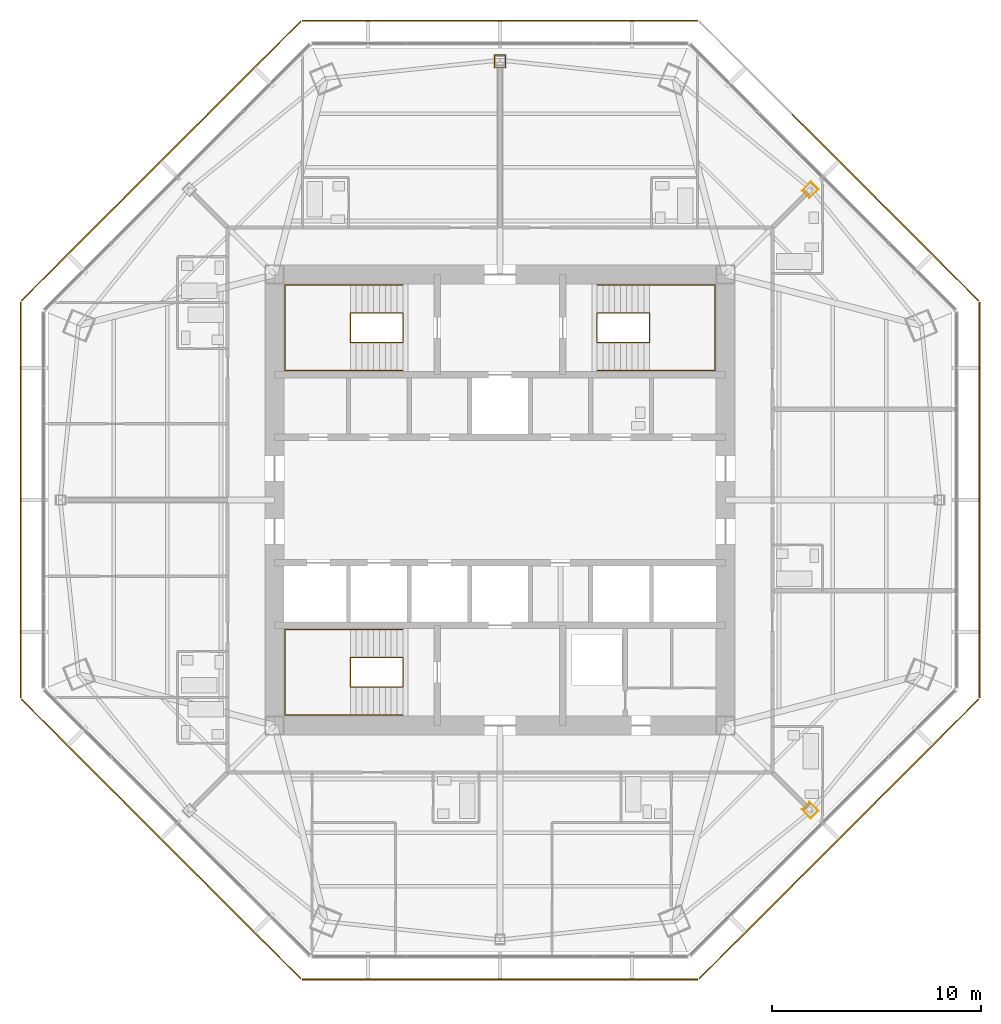
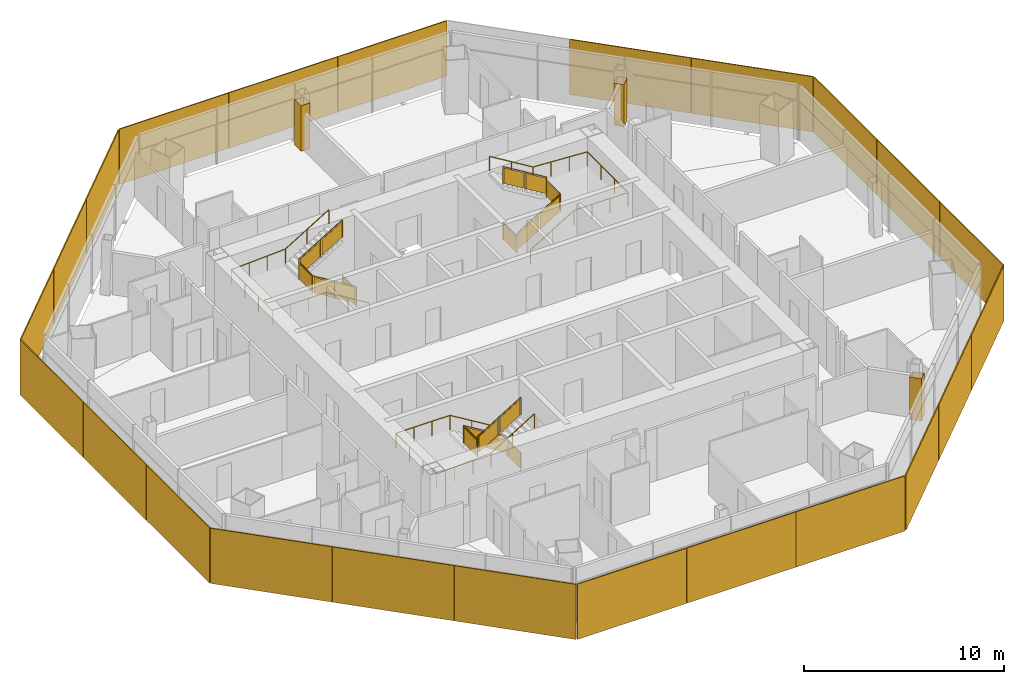
# One storey, part 14 of 16: 23 shading devices, 6 railings, 3 coverings.
"""IFC4 building model written with IfcOpenShell, lengths in metres."""

from ifc_helpers import new_model, si_unit, direction, frame, origin, origin_2d, place, context, subcontext, project, spatial, polyline, rectangle, circle, outline, extrude, source, transform, mapped, material, layer, layer_set, type_object, type_shapes, element, save


model = new_model("IFC4")

# Units and contexts
model_context = context("Model", 3, precision=1e-05, world=origin(), true_north=direction((0.0, 1.0)))
body_context = subcontext(model_context, "Body", "Model", "MODEL_VIEW")
ifc_project = project(units=[si_unit("LENGTHUNIT", "METRE"), si_unit("AREAUNIT", "SQUARE_METRE"), si_unit("VOLUMEUNIT", "CUBIC_METRE"), si_unit("PLANEANGLEUNIT", "RADIAN"), si_unit("MASSUNIT", "GRAM", prefix="KILO")], contexts=[model_context])

# Site, building, storey
site_placement = place(None, origin())
site = spatial("IfcSite", under=ifc_project, at=site_placement, CompositionType="ELEMENT")
building_placement = place(site_placement, origin())
building = spatial("IfcBuilding", under=site, at=building_placement, Name="Mashrafa Tower", CompositionType="ELEMENT")
storey_placement = place(building_placement, frame((0.0, 0.0, 217.60009765625)))
storey = spatial("IfcBuildingStorey", under=building, at=storey_placement, Name="L50", CompositionType="ELEMENT", Elevation=217.60009765625)

# Coverings
ifc_material_1 = material(Name="Gypsum board")
ifc_layer_1 = layer(ifc_material_1, 0.014892578125)
ifc_layer_set_1 = layer_set([ifc_layer_1], Name="Column casing plasterboard 15")
covering_type = type_object("IfcCoveringType", Name="Column casing plasterboard 15", PredefinedType="CLADDING", material=ifc_layer_set_1)
covering_1_placement = place(storey_placement, origin())
element("IfcCovering", 1, at=covering_1_placement, inside=storey, type_object=covering_type, Name="Column casing L50-001", PredefinedType="CLADDING", context=body_context, shape_type="SweptSolid", body=[
    extrude(outline(polyline([(14.4482421875, 14.822998046875), (14.89111328125, 15.265869140625), (15.265869140625, 14.89111328125), (14.822998046875, 14.4482421875), (14.4482421875, 14.822998046875)]), holes=[polyline([(15.24462890625, 14.89111328125), (14.89111328125, 15.24462890625), (14.469482421875, 14.822998046875), (14.822998046875, 14.469482421875), (15.24462890625, 14.89111328125)])]), origin(), (0.0, 0.0, 1.0), 2.577880859375),
])
covering_2_placement = place(storey_placement, origin())
element("IfcCovering", 2, at=covering_2_placement, inside=storey, type_object=covering_type, Name="Column casing L50-002", PredefinedType="CLADDING", context=body_context, shape_type="SweptSolid", body=[
    extrude(outline(polyline([(-0.264892578125, 21.32421875), (0.264892578125, 21.32421875), (0.264892578125, 20.69775390625), (-0.264892578125, 20.69775390625), (-0.264892578125, 21.32421875)]), holes=[polyline([(0.25, 20.712890625), (0.25, 21.30908203125), (-0.25, 21.30908203125), (-0.25, 20.712890625), (0.25, 20.712890625)])]), origin(), (0.0, 0.0, 1.0), 2.783447265625),
])
covering_3_placement = place(storey_placement, origin())
element("IfcCovering", 3, at=covering_3_placement, inside=storey, type_object=covering_type, Name="Column casing L50-003", PredefinedType="CLADDING", context=body_context, shape_type="SweptSolid", body=[
    extrude(outline(polyline([(14.4482421875, -14.822998046875), (14.822998046875, -14.4482421875), (15.265869140625, -14.89111328125), (14.89111328125, -15.265869140625), (14.4482421875, -14.822998046875)]), holes=[polyline([(15.24462890625, -14.89111328125), (14.822998046875, -14.469482421875), (14.469482421875, -14.822998046875), (14.89111328125, -15.24462890625), (15.24462890625, -14.89111328125)])]), origin(), (0.0, 0.0, 1.0), 2.577880859375),
])

# Railings
ifc_material_2 = material(Name="Steel guard with glass infill", Category="steel")
railing_type_1 = type_object("IfcRailingType", Name="Stair guard 1100", PredefinedType="GUARDRAIL", material=ifc_material_2)
railing_1_placement = place(storey_placement, frame((-4.64990234375, 8.949951171875, 0.0)))
element("IfcRailing", 4, at=railing_1_placement, inside=storey, type_object=railing_type_1, Name="Stair S1 guard L50", PredefinedType="GUARDRAIL", context=body_context, shape_type="SweptSolid", body=[
    extrude(circle(Radius=0.02392578125, at=origin_2d()), frame((0.0, 0.0, 1.076171875), z_axis=(0.0, -1.0, 0.0), x_axis=(1.0, 0.0, 0.0)), (0.0, 0.0, 1.0), 1.39990234375),
    extrude(circle(Radius=0.02392578125, at=origin_2d()), frame((0.0, -1.39990234375, 1.076171875), z_axis=(0.0, 0.0, 1.0), x_axis=(1.0, 0.0, 0.0)), (0.0, 0.0, 1.0), 0.169921875),
    extrude(circle(Radius=0.02392578125, at=origin_2d()), frame((0.0, -1.39990234375, 1.24609375), z_axis=(-0.85478489116, 0.0, 0.518982456201), x_axis=(0.0, -1.0, 0.0)), (0.0, 0.0, 1.0), 2.9482421875),
    extrude(circle(Radius=0.02392578125, at=origin_2d()), frame((-2.52001953125, -1.39990234375, 2.77587890625), z_axis=(0.0, 1.0, 0.0), x_axis=(-1.0, 0.0, 0.0)), (0.0, 0.0, 1.0), 1.39990234375),
    extrude(circle(Radius=0.02392578125, at=origin_2d()), frame((-2.52001953125, 0.0, 2.77587890625), z_axis=(0.0, 0.0, 1.0), x_axis=(1.0, 0.0, 0.0)), (0.0, 0.0, 1.0), 0.169921875),
    extrude(circle(Radius=0.02392578125, at=origin_2d()), frame((-2.52001953125, 0.0, 2.94580078125), z_axis=(0.85478489116, 0.0, 0.518982456201), x_axis=(0.0, 1.0, 0.0)), (0.0, 0.0, 1.0), 2.9482421875),
    extrude(circle(Radius=0.02099609375, at=origin_2d()), origin(), (0.0, 0.0, 1.0), 1.052001953125),
    extrude(circle(Radius=0.02099609375, at=origin_2d()), frame((0.0, -1.39990234375, 0.0)), (0.0, 0.0, 1.0), 1.052001953125),
    extrude(circle(Radius=0.02099609375, at=origin_2d()), frame((0.0, -1.39990234375, 0.169921875)), (0.0, 0.0, 1.0), 1.052001953125),
    extrude(circle(Radius=0.02099609375, at=origin_2d()), frame((-1.260009765625, -1.39990234375, 0.93505859375)), (0.0, 0.0, 1.0), 1.052001953125),
    extrude(circle(Radius=0.02099609375, at=origin_2d()), frame((-2.52001953125, -1.39990234375, 1.699951171875)), (0.0, 0.0, 1.0), 1.052001953125),
    extrude(circle(Radius=0.02099609375, at=origin_2d()), frame((-2.52001953125, 0.0, 1.699951171875)), (0.0, 0.0, 1.0), 1.052001953125),
    extrude(circle(Radius=0.02099609375, at=origin_2d()), frame((-2.52001953125, 0.0, 1.869873046875)), (0.0, 0.0, 1.0), 1.052001953125),
    extrude(circle(Radius=0.02099609375, at=origin_2d()), frame((-1.260009765625, 0.0, 2.634765625)), (0.0, 0.0, 1.0), 1.052001953125),
    extrude(circle(Radius=0.02099609375, at=origin_2d()), frame((0.0, 0.0, 3.39990234375)), (0.0, 0.0, 1.0), 1.052001953125),
    extrude(outline(polyline([(0.071044921875, 0.050048828125), (1.328857421875, 0.050048828125), (1.328857421875, 1.001953125), (0.071044921875, 1.001953125), (0.071044921875, 0.050048828125)])), frame((-0.006103515625, 0.0, 0.0), z_axis=(-1.0, 0.0, 0.0), x_axis=(0.0, -1.0, 0.0)), (0.0, 0.0, 1.0), 0.011962890625),
    extrude(outline(polyline([(0.071044921875, 0.093017578125), (1.18896484375, 0.77197265625), (1.18896484375, 1.723876953125), (0.071044921875, 1.045166015625), (0.071044921875, 0.093017578125)])), frame((0.0, -1.393798828125, 0.169921875), z_axis=(0.0, 1.0, 0.0), x_axis=(-1.0, 0.0, 0.0)), (0.0, 0.0, 1.0), 0.011962890625),
    extrude(outline(polyline([(1.3310546875, 0.858154296875), (2.448974609375, 1.536865234375), (2.448974609375, 2.489013671875), (1.3310546875, 1.81005859375), (1.3310546875, 0.858154296875)])), frame((0.0, -1.393798828125, 0.169921875), z_axis=(0.0, 1.0, 0.0), x_axis=(-1.0, 0.0, 0.0)), (0.0, 0.0, 1.0), 0.011962890625),
    extrude(outline(polyline([(0.071044921875, 0.050048828125), (1.328857421875, 0.050048828125), (1.328857421875, 1.001953125), (0.071044921875, 1.001953125), (0.071044921875, 0.050048828125)])), frame((-2.513916015625, -1.39990234375, 1.699951171875), z_axis=(1.0, 0.0, 0.0), x_axis=(0.0, 1.0, 0.0)), (0.0, 0.0, 1.0), 0.011962890625),
    extrude(outline(polyline([(0.071044921875, 0.093017578125), (1.18896484375, 0.77197265625), (1.18896484375, 1.723876953125), (0.071044921875, 1.045166015625), (0.071044921875, 0.093017578125)])), frame((-2.52001953125, -0.006103515625, 1.869873046875), z_axis=(0.0, -1.0, 0.0), x_axis=(1.0, 0.0, 0.0)), (0.0, 0.0, 1.0), 0.011962890625),
    extrude(outline(polyline([(1.3310546875, 0.858154296875), (2.448974609375, 1.536865234375), (2.448974609375, 2.489013671875), (1.3310546875, 1.81005859375), (1.3310546875, 0.858154296875)])), frame((-2.52001953125, -0.006103515625, 1.869873046875), z_axis=(0.0, -1.0, 0.0), x_axis=(1.0, 0.0, 0.0)), (0.0, 0.0, 1.0), 0.011962890625),
])
railing_2_placement = place(storey_placement, frame((4.64990234375, 8.949951171875, 0.0)))
element("IfcRailing", 5, at=railing_2_placement, inside=storey, type_object=railing_type_1, Name="Stair S2 guard L50", PredefinedType="GUARDRAIL", context=body_context, shape_type="SweptSolid", body=[
    extrude(circle(Radius=0.02392578125, at=origin_2d()), frame((0.0, 0.0, 1.076171875), z_axis=(0.0, -1.0, 0.0), x_axis=(1.0, 0.0, 0.0)), (0.0, 0.0, 1.0), 1.39990234375),
    extrude(circle(Radius=0.02392578125, at=origin_2d()), frame((0.0, -1.39990234375, 1.076171875), z_axis=(0.0, 0.0, 1.0), x_axis=(1.0, 0.0, 0.0)), (0.0, 0.0, 1.0), 0.169921875),
    extrude(circle(Radius=0.02392578125, at=origin_2d()), frame((0.0, -1.39990234375, 1.24609375), z_axis=(0.85478489116, 0.0, 0.518982456201), x_axis=(0.0, 1.0, 0.0)), (0.0, 0.0, 1.0), 2.9482421875),
    extrude(circle(Radius=0.02392578125, at=origin_2d()), frame((2.52001953125, -1.39990234375, 2.77587890625), z_axis=(0.0, 1.0, 0.0), x_axis=(-1.0, 0.0, 0.0)), (0.0, 0.0, 1.0), 1.39990234375),
    extrude(circle(Radius=0.02392578125, at=origin_2d()), frame((2.52001953125, 0.0, 2.77587890625), z_axis=(0.0, 0.0, 1.0), x_axis=(1.0, 0.0, 0.0)), (0.0, 0.0, 1.0), 0.169921875),
    extrude(circle(Radius=0.02392578125, at=origin_2d()), frame((2.52001953125, 0.0, 2.94580078125), z_axis=(-0.85478489116, 0.0, 0.518982456201), x_axis=(0.0, -1.0, 0.0)), (0.0, 0.0, 1.0), 2.9482421875),
    extrude(circle(Radius=0.02099609375, at=origin_2d()), origin(), (0.0, 0.0, 1.0), 1.052001953125),
    extrude(circle(Radius=0.02099609375, at=origin_2d()), frame((0.0, -1.39990234375, 0.0)), (0.0, 0.0, 1.0), 1.052001953125),
    extrude(circle(Radius=0.02099609375, at=origin_2d()), frame((0.0, -1.39990234375, 0.169921875)), (0.0, 0.0, 1.0), 1.052001953125),
    extrude(circle(Radius=0.02099609375, at=origin_2d()), frame((1.260009765625, -1.39990234375, 0.93505859375)), (0.0, 0.0, 1.0), 1.052001953125),
    extrude(circle(Radius=0.02099609375, at=origin_2d()), frame((2.52001953125, -1.39990234375, 1.699951171875)), (0.0, 0.0, 1.0), 1.052001953125),
    extrude(circle(Radius=0.02099609375, at=origin_2d()), frame((2.52001953125, 0.0, 1.699951171875)), (0.0, 0.0, 1.0), 1.052001953125),
    extrude(circle(Radius=0.02099609375, at=origin_2d()), frame((2.52001953125, 0.0, 1.869873046875)), (0.0, 0.0, 1.0), 1.052001953125),
    extrude(circle(Radius=0.02099609375, at=origin_2d()), frame((1.260009765625, 0.0, 2.634765625)), (0.0, 0.0, 1.0), 1.052001953125),
    extrude(circle(Radius=0.02099609375, at=origin_2d()), frame((0.0, 0.0, 3.39990234375)), (0.0, 0.0, 1.0), 1.052001953125),
    extrude(outline(polyline([(0.071044921875, 0.050048828125), (1.328857421875, 0.050048828125), (1.328857421875, 1.001953125), (0.071044921875, 1.001953125), (0.071044921875, 0.050048828125)])), frame((-0.006103515625, 0.0, 0.0), z_axis=(-1.0, 0.0, 0.0), x_axis=(0.0, -1.0, 0.0)), (0.0, 0.0, 1.0), 0.011962890625),
    extrude(outline(polyline([(0.071044921875, 0.093017578125), (1.18896484375, 0.77197265625), (1.18896484375, 1.723876953125), (0.071044921875, 1.045166015625), (0.071044921875, 0.093017578125)])), frame((0.0, -1.406005859375, 0.169921875), z_axis=(0.0, -1.0, 0.0), x_axis=(1.0, 0.0, 0.0)), (0.0, 0.0, 1.0), 0.011962890625),
    extrude(outline(polyline([(1.3310546875, 0.858154296875), (2.448974609375, 1.536865234375), (2.448974609375, 2.489013671875), (1.3310546875, 1.81005859375), (1.3310546875, 0.858154296875)])), frame((0.0, -1.406005859375, 0.169921875), z_axis=(0.0, -1.0, 0.0), x_axis=(1.0, 0.0, 0.0)), (0.0, 0.0, 1.0), 0.011962890625),
    extrude(outline(polyline([(0.071044921875, 0.050048828125), (1.328857421875, 0.050048828125), (1.328857421875, 1.001953125), (0.071044921875, 1.001953125), (0.071044921875, 0.050048828125)])), frame((2.526123046875, -1.39990234375, 1.699951171875), z_axis=(1.0, 0.0, 0.0), x_axis=(0.0, 1.0, 0.0)), (0.0, 0.0, 1.0), 0.011962890625),
    extrude(outline(polyline([(0.071044921875, 0.093017578125), (1.18896484375, 0.77197265625), (1.18896484375, 1.723876953125), (0.071044921875, 1.045166015625), (0.071044921875, 0.093017578125)])), frame((2.52001953125, 0.006103515625, 1.869873046875), z_axis=(0.0, 1.0, 0.0), x_axis=(-1.0, 0.0, 0.0)), (0.0, 0.0, 1.0), 0.011962890625),
    extrude(outline(polyline([(1.3310546875, 0.858154296875), (2.448974609375, 1.536865234375), (2.448974609375, 2.489013671875), (1.3310546875, 1.81005859375), (1.3310546875, 0.858154296875)])), frame((2.52001953125, 0.006103515625, 1.869873046875), z_axis=(0.0, 1.0, 0.0), x_axis=(-1.0, 0.0, 0.0)), (0.0, 0.0, 1.0), 0.011962890625),
])
railing_3_placement = place(storey_placement, frame((-4.64990234375, -8.949951171875, 0.0)))
element("IfcRailing", 6, at=railing_3_placement, inside=storey, type_object=railing_type_1, Name="Stair S3 guard L50", PredefinedType="GUARDRAIL", context=body_context, shape_type="SweptSolid", body=[
    extrude(circle(Radius=0.02392578125, at=origin_2d()), frame((0.0, 0.0, 1.076171875), z_axis=(0.0, 1.0, 0.0), x_axis=(-1.0, 0.0, 0.0)), (0.0, 0.0, 1.0), 1.39990234375),
    extrude(circle(Radius=0.02392578125, at=origin_2d()), frame((0.0, 1.39990234375, 1.076171875), z_axis=(0.0, 0.0, 1.0), x_axis=(1.0, 0.0, 0.0)), (0.0, 0.0, 1.0), 0.169921875),
    extrude(circle(Radius=0.02392578125, at=origin_2d()), frame((0.0, 1.39990234375, 1.24609375), z_axis=(-0.85478489116, 0.0, 0.518982456201), x_axis=(0.0, -1.0, 0.0)), (0.0, 0.0, 1.0), 2.9482421875),
    extrude(circle(Radius=0.02392578125, at=origin_2d()), frame((-2.52001953125, 1.39990234375, 2.77587890625), z_axis=(0.0, -1.0, 0.0), x_axis=(1.0, 0.0, 0.0)), (0.0, 0.0, 1.0), 1.39990234375),
    extrude(circle(Radius=0.02392578125, at=origin_2d()), frame((-2.52001953125, 0.0, 2.77587890625), z_axis=(0.0, 0.0, 1.0), x_axis=(1.0, 0.0, 0.0)), (0.0, 0.0, 1.0), 0.169921875),
    extrude(circle(Radius=0.02392578125, at=origin_2d()), frame((-2.52001953125, 0.0, 2.94580078125), z_axis=(0.85478489116, 0.0, 0.518982456201), x_axis=(0.0, 1.0, 0.0)), (0.0, 0.0, 1.0), 2.9482421875),
    extrude(circle(Radius=0.02099609375, at=origin_2d()), origin(), (0.0, 0.0, 1.0), 1.052001953125),
    extrude(circle(Radius=0.02099609375, at=origin_2d()), frame((0.0, 1.39990234375, 0.0)), (0.0, 0.0, 1.0), 1.052001953125),
    extrude(circle(Radius=0.02099609375, at=origin_2d()), frame((0.0, 1.39990234375, 0.169921875)), (0.0, 0.0, 1.0), 1.052001953125),
    extrude(circle(Radius=0.02099609375, at=origin_2d()), frame((-1.260009765625, 1.39990234375, 0.93505859375)), (0.0, 0.0, 1.0), 1.052001953125),
    extrude(circle(Radius=0.02099609375, at=origin_2d()), frame((-2.52001953125, 1.39990234375, 1.699951171875)), (0.0, 0.0, 1.0), 1.052001953125),
    extrude(circle(Radius=0.02099609375, at=origin_2d()), frame((-2.52001953125, 0.0, 1.699951171875)), (0.0, 0.0, 1.0), 1.052001953125),
    extrude(circle(Radius=0.02099609375, at=origin_2d()), frame((-2.52001953125, 0.0, 1.869873046875)), (0.0, 0.0, 1.0), 1.052001953125),
    extrude(circle(Radius=0.02099609375, at=origin_2d()), frame((-1.260009765625, 0.0, 2.634765625)), (0.0, 0.0, 1.0), 1.052001953125),
    extrude(circle(Radius=0.02099609375, at=origin_2d()), frame((0.0, 0.0, 3.39990234375)), (0.0, 0.0, 1.0), 1.052001953125),
    extrude(outline(polyline([(0.071044921875, 0.050048828125), (1.328857421875, 0.050048828125), (1.328857421875, 1.001953125), (0.071044921875, 1.001953125), (0.071044921875, 0.050048828125)])), frame((0.006103515625, 0.0, 0.0), z_axis=(1.0, 0.0, 0.0), x_axis=(0.0, 1.0, 0.0)), (0.0, 0.0, 1.0), 0.011962890625),
    extrude(outline(polyline([(0.071044921875, 0.093017578125), (1.18896484375, 0.77197265625), (1.18896484375, 1.723876953125), (0.071044921875, 1.045166015625), (0.071044921875, 0.093017578125)])), frame((0.0, 1.406005859375, 0.169921875), z_axis=(0.0, 1.0, 0.0), x_axis=(-1.0, 0.0, 0.0)), (0.0, 0.0, 1.0), 0.011962890625),
    extrude(outline(polyline([(1.3310546875, 0.858154296875), (2.448974609375, 1.536865234375), (2.448974609375, 2.489013671875), (1.3310546875, 1.81005859375), (1.3310546875, 0.858154296875)])), frame((0.0, 1.406005859375, 0.169921875), z_axis=(0.0, 1.0, 0.0), x_axis=(-1.0, 0.0, 0.0)), (0.0, 0.0, 1.0), 0.011962890625),
    extrude(outline(polyline([(0.071044921875, 0.050048828125), (1.328857421875, 0.050048828125), (1.328857421875, 1.001953125), (0.071044921875, 1.001953125), (0.071044921875, 0.050048828125)])), frame((-2.526123046875, 1.39990234375, 1.699951171875), z_axis=(-1.0, 0.0, 0.0), x_axis=(0.0, -1.0, 0.0)), (0.0, 0.0, 1.0), 0.011962890625),
    extrude(outline(polyline([(0.071044921875, 0.093017578125), (1.18896484375, 0.77197265625), (1.18896484375, 1.723876953125), (0.071044921875, 1.045166015625), (0.071044921875, 0.093017578125)])), frame((-2.52001953125, -0.006103515625, 1.869873046875), z_axis=(0.0, -1.0, 0.0), x_axis=(1.0, 0.0, 0.0)), (0.0, 0.0, 1.0), 0.011962890625),
    extrude(outline(polyline([(1.3310546875, 0.858154296875), (2.448974609375, 1.536865234375), (2.448974609375, 2.489013671875), (1.3310546875, 1.81005859375), (1.3310546875, 0.858154296875)])), frame((-2.52001953125, -0.006103515625, 1.869873046875), z_axis=(0.0, -1.0, 0.0), x_axis=(1.0, 0.0, 0.0)), (0.0, 0.0, 1.0), 0.011962890625),
])
ifc_material_3 = material(Name="Steel", Category="steel")
railing_type_2 = type_object("IfcRailingType", Name="Stair handrail 900", PredefinedType="HANDRAIL", material=ifc_material_3)
railing_4_placement = place(storey_placement, frame((-4.64990234375, 6.199951171875, 0.169921875)))
element("IfcRailing", 7, at=railing_4_placement, inside=storey, type_object=railing_type_2, Name="Stair S1 handrail L50", PredefinedType="HANDRAIL", context=body_context, shape_type="SweptSolid", body=[
    extrude(circle(Radius=0.02392578125, at=origin_2d()), frame((0.0, 0.0, 0.8759765625), z_axis=(-0.85478489116, 0.0, 0.518982456201), x_axis=(0.0, -1.0, 0.0)), (0.0, 0.0, 1.0), 2.9482421875),
    extrude(circle(Radius=0.02392578125, at=origin_2d()), frame((-2.52001953125, 0.0, 2.40576171875), z_axis=(-1.0, 0.0, 0.0), x_axis=(0.0, -1.0, 0.0)), (0.0, 0.0, 1.0), 3.130126953125),
    extrude(circle(Radius=0.02392578125, at=origin_2d()), frame((-5.650146484375, 0.0, 2.40576171875), z_axis=(0.0, 1.0, 0.0), x_axis=(-1.0, 0.0, 0.0)), (0.0, 0.0, 1.0), 4.10009765625),
    extrude(circle(Radius=0.02392578125, at=origin_2d()), frame((-5.650146484375, 4.10009765625, 2.40576171875), z_axis=(0.998529767259, 0.0, 0.054206124172), x_axis=(0.0, 1.0, 0.0)), (0.0, 0.0, 1.0), 3.134765625),
    extrude(circle(Radius=0.02392578125, at=origin_2d()), frame((-2.52001953125, 4.10009765625, 2.57568359375), z_axis=(0.85478489116, 0.0, 0.518982456201), x_axis=(0.0, 1.0, 0.0)), (0.0, 0.0, 1.0), 2.9482421875),
    extrude(circle(Radius=0.02099609375, at=origin_2d()), origin(), (0.0, 0.0, 1.0), 0.851806640625),
    extrude(circle(Radius=0.02099609375, at=origin_2d()), frame((-1.260009765625, 0.0, 0.76513671875)), (0.0, 0.0, 1.0), 0.851806640625),
    extrude(circle(Radius=0.02099609375, at=origin_2d()), frame((-2.52001953125, 0.0, 1.530029296875)), (0.0, 0.0, 1.0), 0.851806640625),
    extrude(circle(Radius=0.02099609375, at=origin_2d()), frame((-3.5634765625, 0.0, 1.530029296875)), (0.0, 0.0, 1.0), 0.851806640625),
    extrude(circle(Radius=0.02099609375, at=origin_2d()), frame((-4.606689453125, 0.0, 1.530029296875)), (0.0, 0.0, 1.0), 0.851806640625),
    extrude(circle(Radius=0.02099609375, at=origin_2d()), frame((-5.650146484375, 0.0, 1.530029296875)), (0.0, 0.0, 1.0), 0.851806640625),
    extrude(circle(Radius=0.02099609375, at=origin_2d()), frame((-5.650146484375, 1.36669921875, 1.530029296875)), (0.0, 0.0, 1.0), 0.851806640625),
    extrude(circle(Radius=0.02099609375, at=origin_2d()), frame((-5.650146484375, 2.7333984375, 1.530029296875)), (0.0, 0.0, 1.0), 0.851806640625),
    extrude(circle(Radius=0.02099609375, at=origin_2d()), frame((-5.650146484375, 4.10009765625, 1.530029296875)), (0.0, 0.0, 1.0), 0.851806640625),
    extrude(circle(Radius=0.02099609375, at=origin_2d()), frame((-4.606689453125, 4.10009765625, 1.586669921875)), (0.0, 0.0, 1.0), 0.851806640625),
    extrude(circle(Radius=0.02099609375, at=origin_2d()), frame((-3.5634765625, 4.10009765625, 1.643310546875)), (0.0, 0.0, 1.0), 0.851806640625),
    extrude(circle(Radius=0.02099609375, at=origin_2d()), frame((-2.52001953125, 4.10009765625, 1.699951171875)), (0.0, 0.0, 1.0), 0.851806640625),
    extrude(circle(Radius=0.02099609375, at=origin_2d()), frame((-1.260009765625, 4.10009765625, 2.46484375)), (0.0, 0.0, 1.0), 0.851806640625),
    extrude(circle(Radius=0.02099609375, at=origin_2d()), frame((0.0, 4.10009765625, 3.22998046875)), (0.0, 0.0, 1.0), 0.851806640625),
])
railing_5_placement = place(storey_placement, frame((4.64990234375, 6.199951171875, 0.169921875)))
element("IfcRailing", 8, at=railing_5_placement, inside=storey, type_object=railing_type_2, Name="Stair S2 handrail L50", PredefinedType="HANDRAIL", context=body_context, shape_type="SweptSolid", body=[
    extrude(circle(Radius=0.02392578125, at=origin_2d()), frame((0.0, 0.0, 0.8759765625), z_axis=(0.85478489116, 0.0, 0.518982456201), x_axis=(0.0, 1.0, 0.0)), (0.0, 0.0, 1.0), 2.9482421875),
    extrude(circle(Radius=0.02392578125, at=origin_2d()), frame((2.52001953125, 0.0, 2.40576171875), z_axis=(1.0, 0.0, 0.0), x_axis=(0.0, 1.0, 0.0)), (0.0, 0.0, 1.0), 3.130126953125),
    extrude(circle(Radius=0.02392578125, at=origin_2d()), frame((5.650146484375, 0.0, 2.40576171875), z_axis=(0.0, 1.0, 0.0), x_axis=(-1.0, 0.0, 0.0)), (0.0, 0.0, 1.0), 4.10009765625),
    extrude(circle(Radius=0.02392578125, at=origin_2d()), frame((5.650146484375, 4.10009765625, 2.40576171875), z_axis=(-0.998529767259, 0.0, 0.054206124172), x_axis=(0.0, -1.0, 0.0)), (0.0, 0.0, 1.0), 3.134765625),
    extrude(circle(Radius=0.02392578125, at=origin_2d()), frame((2.52001953125, 4.10009765625, 2.57568359375), z_axis=(-0.85478489116, 0.0, 0.518982456201), x_axis=(0.0, -1.0, 0.0)), (0.0, 0.0, 1.0), 2.9482421875),
    extrude(circle(Radius=0.02099609375, at=origin_2d()), origin(), (0.0, 0.0, 1.0), 0.851806640625),
    extrude(circle(Radius=0.02099609375, at=origin_2d()), frame((1.260009765625, 0.0, 0.76513671875)), (0.0, 0.0, 1.0), 0.851806640625),
    extrude(circle(Radius=0.02099609375, at=origin_2d()), frame((2.52001953125, 0.0, 1.530029296875)), (0.0, 0.0, 1.0), 0.851806640625),
    extrude(circle(Radius=0.02099609375, at=origin_2d()), frame((3.5634765625, 0.0, 1.530029296875)), (0.0, 0.0, 1.0), 0.851806640625),
    extrude(circle(Radius=0.02099609375, at=origin_2d()), frame((4.606689453125, 0.0, 1.530029296875)), (0.0, 0.0, 1.0), 0.851806640625),
    extrude(circle(Radius=0.02099609375, at=origin_2d()), frame((5.650146484375, 0.0, 1.530029296875)), (0.0, 0.0, 1.0), 0.851806640625),
    extrude(circle(Radius=0.02099609375, at=origin_2d()), frame((5.650146484375, 1.36669921875, 1.530029296875)), (0.0, 0.0, 1.0), 0.851806640625),
    extrude(circle(Radius=0.02099609375, at=origin_2d()), frame((5.650146484375, 2.7333984375, 1.530029296875)), (0.0, 0.0, 1.0), 0.851806640625),
    extrude(circle(Radius=0.02099609375, at=origin_2d()), frame((5.650146484375, 4.10009765625, 1.530029296875)), (0.0, 0.0, 1.0), 0.851806640625),
    extrude(circle(Radius=0.02099609375, at=origin_2d()), frame((4.606689453125, 4.10009765625, 1.586669921875)), (0.0, 0.0, 1.0), 0.851806640625),
    extrude(circle(Radius=0.02099609375, at=origin_2d()), frame((3.5634765625, 4.10009765625, 1.643310546875)), (0.0, 0.0, 1.0), 0.851806640625),
    extrude(circle(Radius=0.02099609375, at=origin_2d()), frame((2.52001953125, 4.10009765625, 1.699951171875)), (0.0, 0.0, 1.0), 0.851806640625),
    extrude(circle(Radius=0.02099609375, at=origin_2d()), frame((1.260009765625, 4.10009765625, 2.46484375)), (0.0, 0.0, 1.0), 0.851806640625),
    extrude(circle(Radius=0.02099609375, at=origin_2d()), frame((0.0, 4.10009765625, 3.22998046875)), (0.0, 0.0, 1.0), 0.851806640625),
])
railing_6_placement = place(storey_placement, frame((-4.64990234375, -6.199951171875, 0.169921875)))
element("IfcRailing", 9, at=railing_6_placement, inside=storey, type_object=railing_type_2, Name="Stair S3 handrail L50", PredefinedType="HANDRAIL", context=body_context, shape_type="SweptSolid", body=[
    extrude(circle(Radius=0.02392578125, at=origin_2d()), frame((0.0, 0.0, 0.8759765625), z_axis=(-0.85478489116, 0.0, 0.518982456201), x_axis=(0.0, -1.0, 0.0)), (0.0, 0.0, 1.0), 2.9482421875),
    extrude(circle(Radius=0.02392578125, at=origin_2d()), frame((-2.52001953125, 0.0, 2.40576171875), z_axis=(-1.0, 0.0, 0.0), x_axis=(0.0, -1.0, 0.0)), (0.0, 0.0, 1.0), 3.130126953125),
    extrude(circle(Radius=0.02392578125, at=origin_2d()), frame((-5.650146484375, 0.0, 2.40576171875), z_axis=(0.0, -1.0, 0.0), x_axis=(1.0, 0.0, 0.0)), (0.0, 0.0, 1.0), 4.10009765625),
    extrude(circle(Radius=0.02392578125, at=origin_2d()), frame((-5.650146484375, -4.10009765625, 2.40576171875), z_axis=(0.998529767259, 0.0, 0.054206124172), x_axis=(0.0, 1.0, 0.0)), (0.0, 0.0, 1.0), 3.134765625),
    extrude(circle(Radius=0.02392578125, at=origin_2d()), frame((-2.52001953125, -4.10009765625, 2.57568359375), z_axis=(0.85478489116, 0.0, 0.518982456201), x_axis=(0.0, 1.0, 0.0)), (0.0, 0.0, 1.0), 2.9482421875),
    extrude(circle(Radius=0.02099609375, at=origin_2d()), origin(), (0.0, 0.0, 1.0), 0.851806640625),
    extrude(circle(Radius=0.02099609375, at=origin_2d()), frame((-1.260009765625, 0.0, 0.76513671875)), (0.0, 0.0, 1.0), 0.851806640625),
    extrude(circle(Radius=0.02099609375, at=origin_2d()), frame((-2.52001953125, 0.0, 1.530029296875)), (0.0, 0.0, 1.0), 0.851806640625),
    extrude(circle(Radius=0.02099609375, at=origin_2d()), frame((-3.5634765625, 0.0, 1.530029296875)), (0.0, 0.0, 1.0), 0.851806640625),
    extrude(circle(Radius=0.02099609375, at=origin_2d()), frame((-4.606689453125, 0.0, 1.530029296875)), (0.0, 0.0, 1.0), 0.851806640625),
    extrude(circle(Radius=0.02099609375, at=origin_2d()), frame((-5.650146484375, 0.0, 1.530029296875)), (0.0, 0.0, 1.0), 0.851806640625),
    extrude(circle(Radius=0.02099609375, at=origin_2d()), frame((-5.650146484375, -1.36669921875, 1.530029296875)), (0.0, 0.0, 1.0), 0.851806640625),
    extrude(circle(Radius=0.02099609375, at=origin_2d()), frame((-5.650146484375, -2.7333984375, 1.530029296875)), (0.0, 0.0, 1.0), 0.851806640625),
    extrude(circle(Radius=0.02099609375, at=origin_2d()), frame((-5.650146484375, -4.10009765625, 1.530029296875)), (0.0, 0.0, 1.0), 0.851806640625),
    extrude(circle(Radius=0.02099609375, at=origin_2d()), frame((-4.606689453125, -4.10009765625, 1.586669921875)), (0.0, 0.0, 1.0), 0.851806640625),
    extrude(circle(Radius=0.02099609375, at=origin_2d()), frame((-3.5634765625, -4.10009765625, 1.643310546875)), (0.0, 0.0, 1.0), 0.851806640625),
    extrude(circle(Radius=0.02099609375, at=origin_2d()), frame((-2.52001953125, -4.10009765625, 1.699951171875)), (0.0, 0.0, 1.0), 0.851806640625),
    extrude(circle(Radius=0.02099609375, at=origin_2d()), frame((-1.260009765625, -4.10009765625, 2.46484375)), (0.0, 0.0, 1.0), 0.851806640625),
    extrude(circle(Radius=0.02099609375, at=origin_2d()), frame((0.0, -4.10009765625, 3.22998046875)), (0.0, 0.0, 1.0), 0.851806640625),
])

# Shading devices
ifc_material_4 = material(Name="Perforated aluminium plate, eight-point star pattern", Category="aluminium")
ifc_layer_2 = layer(ifc_material_4, 0.06005859375)
ifc_layer_set_2 = layer_set([ifc_layer_2], Name="Mashrabiya screen panel apartment zone 3, 28 percent open")
shading_device_type = type_object("IfcShadingDeviceType", Name="Mashrabiya screen panel apartment zone 3, 28 percent open", PredefinedType="SHUTTER", material=ifc_layer_set_2)
shared_shape = source(origin(), body_context, "Body", "SweptSolid", [
    extrude(rectangle(XDim=6.304931640625, YDim=0.06005859375, at=origin_2d()), origin(), (0.0, 0.0, 1.0), 3.3798828125),
])
type_shapes(shading_device_type, [shared_shape])
for number, where, z_axis, x_axis, name in (
    (10, (22.959228515625, -6.324951171875, -0.150146484375), (0.0, 0.0, 1.0), (0.0, 1.0, 0.0), "Mashrabiya screen L50 east 1"),
    (11, (22.959228515625, 0.0, -0.150146484375), (0.0, 0.0, 1.0), (0.0, 1.0, 0.0), "Mashrabiya screen L50 east 2"),
    (12, (22.959228515625, 6.324951171875, -0.150146484375), (0.0, 0.0, 1.0), (0.0, 1.0, 0.0), "Mashrabiya screen L50 east 3"),
    (13, (20.70703125, 11.761962890625, -0.150146484375), (0.0, 0.0, 1.0), (-0.707106781187, 0.707106781187, 0.0), "Mashrabiya screen L50 north-east 1"),
    (14, (16.234619140625, 16.234619140625, -0.150146484375), (0.0, 0.0, 1.0), (-0.707106781187, 0.707106781187, 0.0), "Mashrabiya screen L50 north-east 2"),
    (15, (6.324951171875, 22.959228515625, -0.150146484375), (0.0, 0.0, 1.0), (-1.0, 0.0, 0.0), "Mashrabiya screen L50 north 1"),
    (16, (0.0, 22.959228515625, -0.150146484375), (0.0, 0.0, 1.0), (-1.0, 0.0, 0.0), "Mashrabiya screen L50 north 2"),
    (17, (-6.324951171875, 22.959228515625, -0.150146484375), (0.0, 0.0, 1.0), (-1.0, 0.0, 0.0), "Mashrabiya screen L50 north 3"),
    (18, (-11.761962890625, 20.70703125, -0.150146484375), (0.0, 0.0, 1.0), (-0.707106781187, -0.707106781187, 0.0), "Mashrabiya screen L50 north-west 1"),
    (19, (-16.234619140625, 16.234619140625, -0.150146484375), (0.0, 0.0, 1.0), (-0.707106781187, -0.707106781187, 0.0), "Mashrabiya screen L50 north-west 2"),
    (20, (-20.70703125, 11.761962890625, -0.150146484375), (0.0, 0.0, 1.0), (-0.707106781187, -0.707106781187, 0.0), "Mashrabiya screen L50 north-west 3"),
    (21, (-22.959228515625, 6.324951171875, -0.150146484375), (0.0, 0.0, 1.0), (0.0, -1.0, 0.0), "Mashrabiya screen L50 west 1"),
    (22, (-22.959228515625, 0.0, -0.150146484375), (0.0, 0.0, 1.0), (0.0, -1.0, 0.0), "Mashrabiya screen L50 west 2"),
    (23, (-22.959228515625, -6.324951171875, -0.150146484375), (0.0, 0.0, 1.0), (0.0, -1.0, 0.0), "Mashrabiya screen L50 west 3"),
    (24, (-20.70703125, -11.761962890625, -0.150146484375), (0.0, 0.0, 1.0), (0.707106781187, -0.707106781187, 0.0), "Mashrabiya screen L50 south-west 1"),
    (25, (-16.234619140625, -16.234619140625, -0.150146484375), (0.0, 0.0, 1.0), (0.707106781187, -0.707106781187, 0.0), "Mashrabiya screen L50 south-west 2"),
    (26, (-11.761962890625, -20.70703125, -0.150146484375), (0.0, 0.0, 1.0), (0.707106781187, -0.707106781187, 0.0), "Mashrabiya screen L50 south-west 3"),
    (27, (-6.324951171875, -22.959228515625, -0.150146484375), (0.0, 0.0, 1.0), (1.0, 0.0, 0.0), "Mashrabiya screen L50 south 1"),
    (28, (0.0, -22.959228515625, -0.150146484375), (0.0, 0.0, 1.0), (1.0, 0.0, 0.0), "Mashrabiya screen L50 south 2"),
    (29, (6.324951171875, -22.959228515625, -0.150146484375), (0.0, 0.0, 1.0), (1.0, 0.0, 0.0), "Mashrabiya screen L50 south 3"),
    (30, (11.761962890625, -20.70703125, -0.150146484375), (0.0, 0.0, 1.0), (0.707106781187, 0.707106781187, 0.0), "Mashrabiya screen L50 south-east 1"),
    (31, (16.234619140625, -16.234619140625, -0.150146484375), (0.0, 0.0, 1.0), (0.707106781187, 0.707106781187, 0.0), "Mashrabiya screen L50 south-east 2"),
    (32, (20.70703125, -11.761962890625, -0.150146484375), (0.0, 0.0, 1.0), (0.707106781187, 0.707106781187, 0.0), "Mashrabiya screen L50 south-east 3"),
):
    element("IfcShadingDevice", number, at=place(storey_placement, frame(where, z_axis=z_axis, x_axis=x_axis)), inside=storey, type_object=shading_device_type, Name=name, PredefinedType="SHUTTER", context=body_context, shape_type="MappedRepresentation", body=[
        mapped(shared_shape, transform((0.0, 0.0, 0.0))),
    ])

save(model, "model.ifc")
